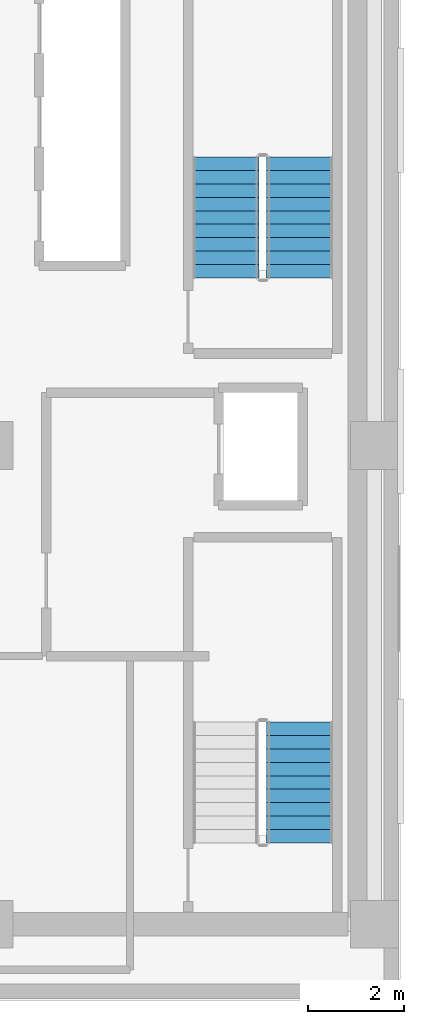
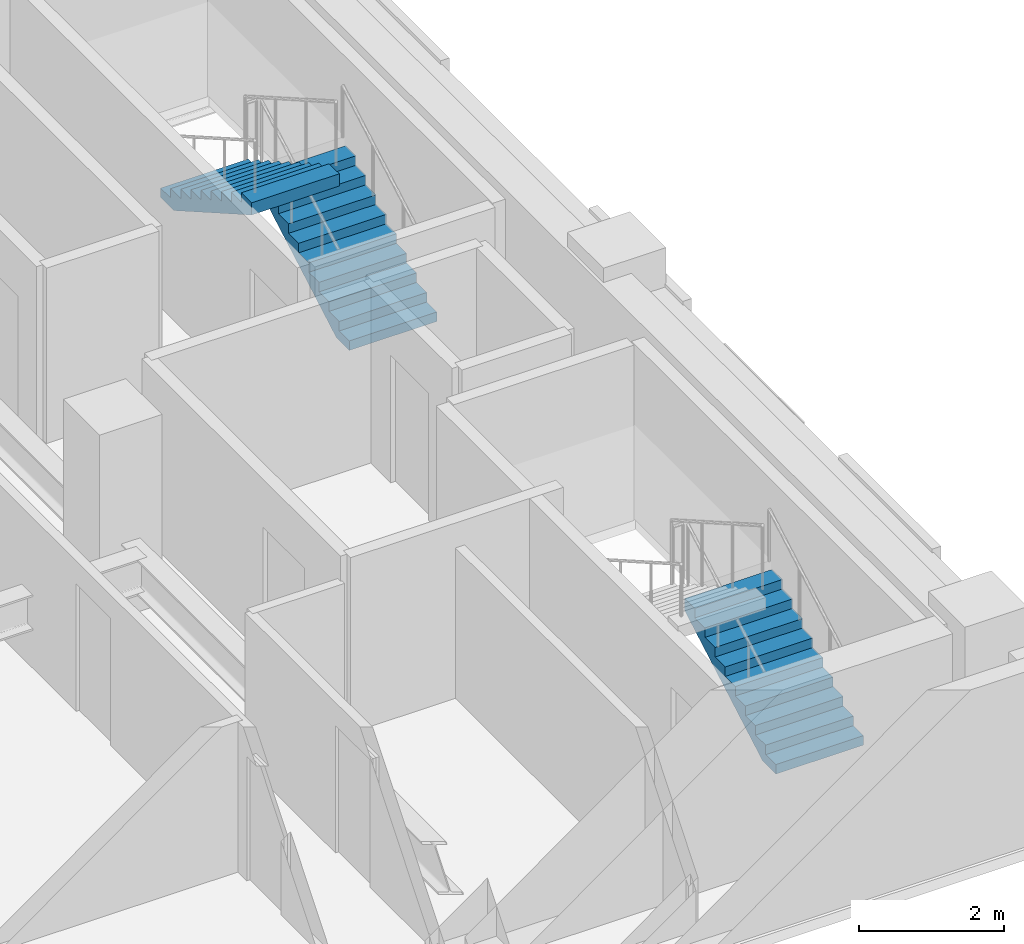
# One storey, part 8 of 11: 3 stair flights, 2 elements without a shape of their own.
"""IFC4 building model written with IfcOpenShell, lengths in metres."""

from ifc_helpers import new_model, si_unit, direction, frame, origin, place, context, subcontext, project, spatial, polyline, outline, extrude, material, type_object, element, aggregate, save


model = new_model("IFC4")

# Units and contexts
model_context = context("Model", 3, precision=1e-05, world=origin(), true_north=direction((0.0, 1.0)))
body_context = subcontext(model_context, "Body", "Model", "MODEL_VIEW")
ifc_project = project(units=[si_unit("LENGTHUNIT", "METRE"), si_unit("AREAUNIT", "SQUARE_METRE"), si_unit("VOLUMEUNIT", "CUBIC_METRE"), si_unit("PLANEANGLEUNIT", "RADIAN"), si_unit("MASSUNIT", "GRAM", prefix="KILO")], contexts=[model_context])

# Site, building, storey
site_placement = place(None, origin())
site = spatial("IfcSite", under=ifc_project, at=site_placement, CompositionType="ELEMENT")
building_placement = place(site_placement, origin())
building = spatial("IfcBuilding", under=site, at=building_placement, Name="Kuzgunbayir Cultural Tower", CompositionType="ELEMENT")
storey_placement = place(building_placement, frame((0.0, 0.0, 99.39990234375)))
storey = spatial("IfcBuildingStorey", under=building, at=storey_placement, Name="L28", CompositionType="ELEMENT", Elevation=99.39990234375)

# Stair, stair flight
ifc_material = material(Name="Concrete C40/50", Category="concrete")
stair_type = type_object("IfcStairType", Name="STR-EXIT-CORE", PredefinedType="HALF_TURN_STAIR", material=ifc_material)
stair_1_placement = place(storey_placement, origin())
stair_1 = element("IfcStair", 1, at=stair_1_placement, inside=storey, type_object=stair_type, Name="L28 ST-3", PredefinedType="HALF_TURN_STAIR")
stair_flight_type = type_object("IfcStairFlightType", Name="STRF-RC-140", PredefinedType="STRAIGHT", material=ifc_material)
stair_flight_1_placement = place(storey_placement, frame((71.10009765625, 23.699951171875, 0.0), z_axis=(0.0, 0.0, 1.0), x_axis=(0.0, 1.0, 0.0)))
stair_flight_1 = element("IfcStairFlight", 2, at=stair_flight_1_placement, type_object=stair_flight_type, Name="ST-3 flight 1", NumberOfRisers=10, NumberOfTreads=9, PredefinedType="STRAIGHT", RiserHeight=0.16, TreadLength=0.28, context=body_context, shape_type="SweptSolid", body=[
    extrude(outline(polyline([(0.0, 0.0), (0.0, 0.159912109375), (0.280029296875, 0.159912109375), (0.280029296875, 0.320068359375), (0.56005859375, 0.320068359375), (0.56005859375, 0.47998046875), (0.840087890625, 0.47998046875), (0.840087890625, 0.639892578125), (1.1201171875, 0.639892578125), (1.1201171875, 0.800048828125), (1.39990234375, 0.800048828125), (1.39990234375, 0.9599609375), (1.679931640625, 0.9599609375), (1.679931640625, 1.1201171875), (1.9599609375, 1.1201171875), (1.9599609375, 1.280029296875), (2.239990234375, 1.280029296875), (2.239990234375, 1.43994140625), (2.52001953125, 1.43994140625), (2.52001953125, 1.60009765625), (2.52001953125, 1.232666015625), (0.362548828125, 0.0), (0.0, 0.0)])), frame((0.0, 0.699951171875, 0.0), z_axis=(0.0, -1.0, 0.0), x_axis=(1.0, 0.0, 0.0)), (0.0, 0.0, 1.0), 1.39990234375),
])
aggregate(stair_1, [stair_flight_1])

# Stair, stair flights
stair_2_placement = place(storey_placement, origin())
stair_2 = element("IfcStair", 3, at=stair_2_placement, inside=storey, type_object=stair_type, Name="L28 ST-4", PredefinedType="HALF_TURN_STAIR")
stair_flight_2_placement = place(storey_placement, frame((71.10009765625, 35.5, 0.0), z_axis=(0.0, 0.0, 1.0), x_axis=(0.0, 1.0, 0.0)))
stair_flight_2 = element("IfcStairFlight", 4, at=stair_flight_2_placement, type_object=stair_flight_type, Name="ST-4 flight 1", NumberOfRisers=10, NumberOfTreads=9, PredefinedType="STRAIGHT", RiserHeight=0.16, TreadLength=0.28, context=body_context, shape_type="SweptSolid", body=[
    extrude(outline(polyline([(0.0, 0.0), (0.0, 0.159912109375), (0.280029296875, 0.159912109375), (0.280029296875, 0.320068359375), (0.56005859375, 0.320068359375), (0.56005859375, 0.47998046875), (0.840087890625, 0.47998046875), (0.840087890625, 0.639892578125), (1.1201171875, 0.639892578125), (1.1201171875, 0.800048828125), (1.39990234375, 0.800048828125), (1.39990234375, 0.9599609375), (1.679931640625, 0.9599609375), (1.679931640625, 1.1201171875), (1.9599609375, 1.1201171875), (1.9599609375, 1.280029296875), (2.239990234375, 1.280029296875), (2.239990234375, 1.43994140625), (2.52001953125, 1.43994140625), (2.52001953125, 1.60009765625), (2.52001953125, 1.232666015625), (0.362548828125, 0.0), (0.0, 0.0)])), frame((0.0, 0.699951171875, 0.0), z_axis=(0.0, -1.0, 0.0), x_axis=(1.0, 0.0, 0.0)), (0.0, 0.0, 1.0), 1.39990234375),
])
stair_flight_3_placement = place(storey_placement, frame((69.5400390625, 38.02001953125, 1.60009765625), z_axis=(0.0, 0.0, 1.0), x_axis=(0.0, -1.0, 0.0)))
stair_flight_3 = element("IfcStairFlight", 5, at=stair_flight_3_placement, type_object=stair_flight_type, Name="ST-4 flight 2", NumberOfRisers=10, NumberOfTreads=9, PredefinedType="STRAIGHT", RiserHeight=0.16, TreadLength=0.28, context=body_context, shape_type="SweptSolid", body=[
    extrude(outline(polyline([(0.0, 0.0), (0.0, 0.159912109375), (0.280029296875, 0.159912109375), (0.280029296875, 0.320068359375), (0.56005859375, 0.320068359375), (0.56005859375, 0.47998046875), (0.840087890625, 0.47998046875), (0.840087890625, 0.639892578125), (1.1201171875, 0.639892578125), (1.1201171875, 0.800048828125), (1.39990234375, 0.800048828125), (1.39990234375, 0.9599609375), (1.679931640625, 0.9599609375), (1.679931640625, 1.1201171875), (1.9599609375, 1.1201171875), (1.9599609375, 1.280029296875), (2.239990234375, 1.280029296875), (2.239990234375, 1.43994140625), (2.52001953125, 1.43994140625), (2.52001953125, 1.60009765625), (2.52001953125, 1.232666015625), (0.362548828125, 0.0), (0.0, 0.0)])), frame((0.0, 0.699951171875, 0.0), z_axis=(0.0, -1.0, 0.0), x_axis=(1.0, 0.0, 0.0)), (0.0, 0.0, 1.0), 1.39990234375),
])
aggregate(stair_2, [stair_flight_2, stair_flight_3])

save(model, "model.ifc")
